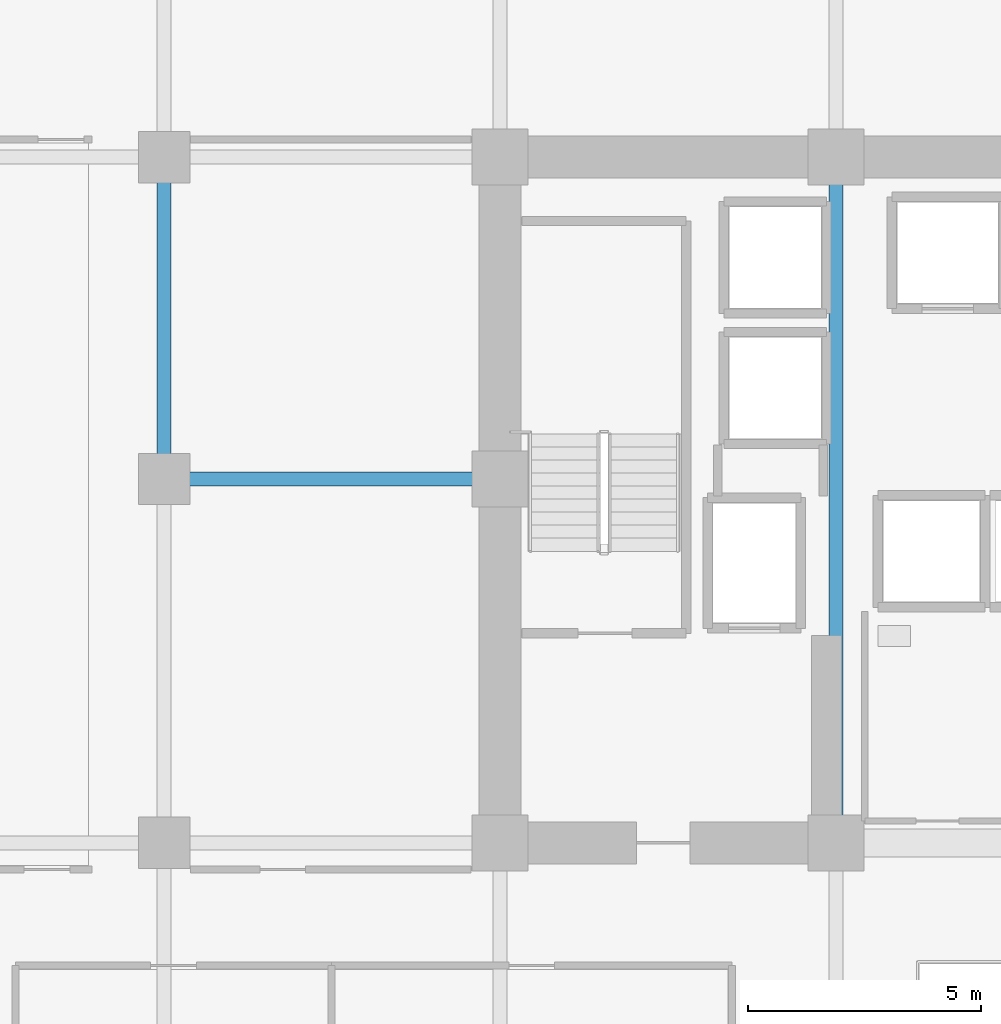
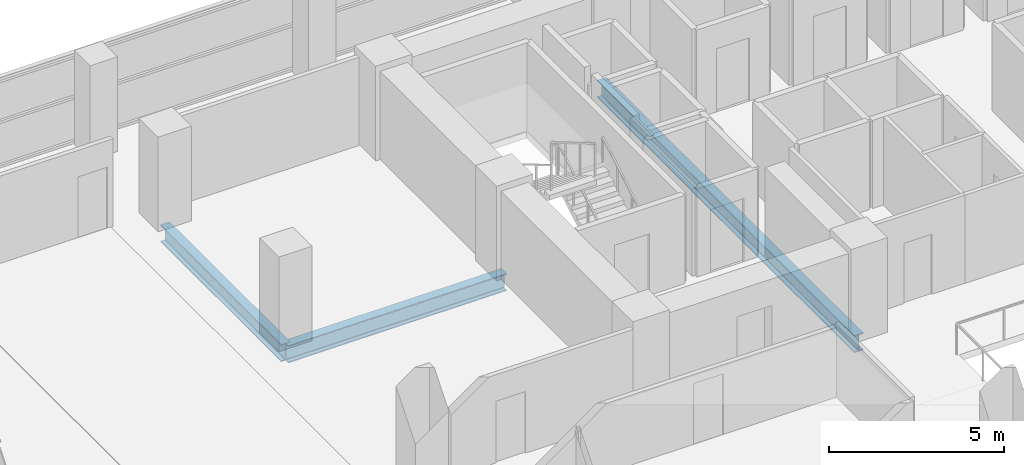
# One storey, part 11 of 30: 3 beams.
"""IFC4 building model written with IfcOpenShell, lengths in metres."""

import ifcopenshell
import ifcopenshell.guid

model = None  # the IFC model being written
_history = None  # IfcOwnerHistory: only IFC2X3 demands one
_inside = {}  # id of a spatial element -> (the spatial element, [elements in it])
_under = {}  # id of a project, library or spatial element -> (it, [spatial elements below it])
_declared = {}  # id of a project -> (the project, [libraries it declares])
_typed = {}  # id of a type object -> (the type object, [elements of that type])
_made_of = {}  # id of a material, layer set ... -> (it, [elements and type objects made of it])


def new_model(schema):
    """Start an empty IFC model of exactly this schema.

    Asked for "IFC4X3", IfcOpenShell would pick the latest addendum, in which some entities
    have other attributes; the version numbers below select the first issue.
    IFC2X3 requires an IfcOwnerHistory on every rooted entity: one is made here for all.
    """
    global model, _history
    if schema == "IFC4X3":
        model = ifcopenshell.file(schema_version=(4, 3, 0, 0))
    else:
        model = ifcopenshell.file(schema=schema)
    _inside.clear()
    _under.clear()
    _declared.clear()
    _typed.clear()
    _made_of.clear()
    _history = None
    if model.schema == "IFC2X3":
        org = make("IfcOrganization", Name="unknown")
        user = make(
            "IfcPersonAndOrganization",
            ThePerson=make("IfcPerson", FamilyName="unknown"),
            TheOrganization=org,
        )
        app = make(
            "IfcApplication",
            ApplicationDeveloper=org,
            Version="unknown",
            ApplicationFullName="unknown",
            ApplicationIdentifier="unknown",
        )
        _history = make(
            "IfcOwnerHistory",
            OwningUser=user,
            OwningApplication=app,
            ChangeAction="ADDED",
            CreationDate=0,
        )
    return model


def make(cls, **values):
    """One entity of the class cls with the attributes given. An attribute that is None is left unset."""
    return model.create_entity(
        cls, **{name: value for name, value in values.items() if value is not None}
    )


def rooted(cls, **values):
    """An entity with a GlobalId (a new one), such as an element, a storey or a relation."""
    return make(cls, GlobalId=ifcopenshell.guid.new(), OwnerHistory=_history, **values)


def si_unit(unit_type, name, prefix=None):
    """IfcSIUnit, for example si_unit("LENGTHUNIT", "METRE", prefix="MILLI")."""
    return make("IfcSIUnit", UnitType=unit_type, Prefix=prefix, Name=name)


def assignment(units):
    """IfcUnitAssignment: the units of a project."""
    return None if units is None else make("IfcUnitAssignment", Units=units)


def point(xyz):
    """IfcCartesianPoint."""
    return None if xyz is None else make("IfcCartesianPoint", Coordinates=xyz)


def direction(xyz):
    """IfcDirection."""
    return None if xyz is None else make("IfcDirection", DirectionRatios=xyz)


def frame(location, z_axis=None, x_axis=None):
    """IfcAxis2Placement3D, a coordinate frame: its origin and axes. An axis left out is left unset."""
    return make(
        "IfcAxis2Placement3D",
        Location=point(location),
        Axis=direction(z_axis),
        RefDirection=direction(x_axis),
    )


def frame_2d(location, x_axis=None):
    """IfcAxis2Placement2D, a coordinate frame in the plane: its origin and x axis."""
    return make(
        "IfcAxis2Placement2D", Location=point(location), RefDirection=direction(x_axis)
    )


def origin():
    """The frame at (0, 0, 0) with its axes left unset."""
    return frame((0.0, 0.0, 0.0))


def origin_2d():
    """The frame at (0, 0) in the plane with its x axis left unset."""
    return frame_2d((0.0, 0.0))


def place(relative_to, where):
    """IfcLocalPlacement: puts the frame where relative to a parent placement (None: the world)."""
    return make(
        "IfcLocalPlacement", PlacementRelTo=relative_to, RelativePlacement=where
    )


def context(
    kind, dimensions, precision=None, world=None, true_north=None, identifier=None
):
    """IfcGeometricRepresentationContext, for example the 3D "Model" context."""
    return make(
        "IfcGeometricRepresentationContext",
        ContextIdentifier=identifier,
        ContextType=kind,
        CoordinateSpaceDimension=dimensions,
        Precision=precision,
        WorldCoordinateSystem=world,
        TrueNorth=true_north,
    )


def subcontext(parent, identifier, kind, view, scale=None):
    """IfcGeometricRepresentationSubContext, for example "Body" below "Model"."""
    return make(
        "IfcGeometricRepresentationSubContext",
        ContextIdentifier=identifier,
        ContextType=kind,
        ParentContext=parent,
        TargetScale=scale,
        TargetView=view,
    )


def project(units=None, contexts=None):
    """IfcProject with its units and contexts."""
    return rooted(
        "IfcProject",
        Name="project",
        RepresentationContexts=contexts,
        UnitsInContext=assignment(units),
    )


def spatial(cls, under=None, at=None, **own):
    """A site, building, storey or space (cls), placed at a placement, below another one or the project."""
    s = rooted(cls, ObjectPlacement=at, **own)
    if under is not None:
        _under.setdefault(under.id(), (under, []))[1].append(s)
    return s


def profile(cls, at=None, kind="AREA", **sizes):
    """A parametric profile (cls). Its sizes go by their IFC names, for example OverallWidth=200.0."""
    return make(cls, ProfileType=kind, Position=at, **sizes)


def i_section(**sizes):
    """IfcIShapeProfileDef."""
    return profile("IfcIShapeProfileDef", **sizes)


def extrude(swept, where, along, depth):
    """IfcExtrudedAreaSolid: the profile swept, set in the frame where, extruded along a direction by depth."""
    return make(
        "IfcExtrudedAreaSolid",
        SweptArea=swept,
        Position=where,
        ExtrudedDirection=direction(along),
        Depth=depth,
    )


def shape(context_of_items, identifier, shape_type, items):
    """IfcShapeRepresentation: the items that make up one representation, for example the "Body"."""
    return make(
        "IfcShapeRepresentation",
        ContextOfItems=context_of_items,
        RepresentationIdentifier=identifier,
        RepresentationType=shape_type,
        Items=items,
    )


def material(Name=None, Category=None):
    """IfcMaterial."""
    return make("IfcMaterial", Name=Name, Category=Category)


def material_profile(
    of_material, cross_section, Name=None, Category=None, Priority=None
):
    """IfcMaterialProfile: a cross section and its material."""
    return make(
        "IfcMaterialProfile",
        Name=Name,
        Material=of_material,
        Profile=cross_section,
        Priority=Priority,
        Category=Category,
    )


def profile_set(profiles, Name=None, composite=None):
    """IfcMaterialProfileSet."""
    return make(
        "IfcMaterialProfileSet",
        Name=Name,
        MaterialProfiles=profiles,
        CompositeProfile=composite,
    )


def made_of(thing, what):
    """Note that an element or type object is made of a material, layer set ...; save() writes the relation."""
    if what is not None:
        _made_of.setdefault(what.id(), (what, []))[1].append(thing)
    return thing


def type_object(cls, material=None, **own):
    """A type object (cls), such as IfcWallType, which elements share."""
    return made_of(rooted(cls, **own), material)


def element(
    cls,
    number,
    at=None,
    inside=None,
    cuts=None,
    type_object=None,
    material=None,
    context=None,
    identifier="Body",
    shape_type=None,
    held_by="IfcProductDefinitionShape",
    body=None,
    shapes=None,
    **own,
):
    """One element of the class cls, such as IfcWall. Its Tag is "e" and its number.

    at: its placement. inside: the storey or other place that contains it. cuts: it is an
    opening in that element (IfcRelVoidsElement). A single representation is given by context,
    identifier, shape_type and body (its items); several are given by shapes. held_by: the class
    of the entity that holds the representations. save() writes the other relations.
    """
    e = rooted(cls, Tag="e%d" % number, ObjectPlacement=at, **own)
    if body is not None:
        shapes = [shape(context, identifier, shape_type, body)]
    if shapes is not None:
        e.Representation = make(held_by, Representations=shapes)
    if inside is not None:
        _inside.setdefault(inside.id(), (inside, []))[1].append(e)
    if cuts is not None:
        rooted(
            "IfcRelVoidsElement", RelatingBuildingElement=cuts, RelatedOpeningElement=e
        )
    if type_object is not None:
        _typed.setdefault(type_object.id(), (type_object, []))[1].append(e)
    return made_of(e, material)


def aggregate(whole, parts):
    """IfcRelAggregates: a whole, such as a stair, and the parts it consists of."""
    return rooted("IfcRelAggregates", RelatingObject=whole, RelatedObjects=parts)


def save(model, path):
    """Write the relations noted so far, then the file.

    IfcRelAggregates (storeys below a building ...), IfcRelContainedInSpatialStructure (elements
    in a storey), IfcRelDefinesByType, IfcRelAssociatesMaterial and IfcRelDeclares: one each for
    every whole, place, type object, material and project.
    """
    for whole, parts in _under.values():
        aggregate(whole, parts)
    for where, things in _inside.values():
        rooted(
            "IfcRelContainedInSpatialStructure",
            RelatedElements=things,
            RelatingStructure=where,
        )
    for kind, things in _typed.values():
        rooted("IfcRelDefinesByType", RelatedObjects=things, RelatingType=kind)
    for what, things in _made_of.values():
        rooted("IfcRelAssociatesMaterial", RelatedObjects=things, RelatingMaterial=what)
    for by, libraries in _declared.values():
        rooted("IfcRelDeclares", RelatingContext=by, RelatedDefinitions=libraries)
    model.write(path)


model = new_model("IFC4")

# Units and contexts
model_context = context("Model", 3, precision=1e-05, world=origin(), true_north=direction((0.0, 1.0)))
body_context = subcontext(model_context, "Body", "Model", "MODEL_VIEW")
ifc_project = project(units=[si_unit("LENGTHUNIT", "METRE"), si_unit("AREAUNIT", "SQUARE_METRE"), si_unit("VOLUMEUNIT", "CUBIC_METRE"), si_unit("PLANEANGLEUNIT", "RADIAN"), si_unit("MASSUNIT", "GRAM", prefix="KILO")], contexts=[model_context])

# Site, building, storey
site_placement = place(None, origin())
site = spatial("IfcSite", under=ifc_project, at=site_placement, CompositionType="ELEMENT")
building_placement = place(site_placement, origin())
building = spatial("IfcBuilding", under=site, at=building_placement, Name="Zarnakvel Exchange Tower", CompositionType="ELEMENT")
storey_placement = place(building_placement, frame((0.0, 0.0, 50.5)))
storey = spatial("IfcBuildingStorey", under=building, at=storey_placement, Name="L13", CompositionType="ELEMENT", Elevation=50.5)

# Beams
ifc_material = material(Name="Steel S355", Category="steel")
ifc_material_profile = material_profile(ifc_material, i_section(OverallWidth=0.300048828125, OverallDepth=0.60009765625, WebThickness=0.015380859375, FlangeThickness=0.030029296875, FilletRadius=0.027099609375, at=origin_2d()))
ifc_profile_set = profile_set([ifc_material_profile], Name="Steel S355")
beam_type = type_object("IfcBeamType", Name="G-04", PredefinedType="BEAM", material=ifc_profile_set)
beam_1_placement = place(storey_placement, frame((-21.60009765625, 6.60009765625, -0.52490234375), z_axis=(1.0, 0.0, 0.0), x_axis=(0.0, 1.0, 0.0)))
element("IfcBeam", 1, at=beam_1_placement, inside=storey, type_object=beam_type, Name="L13 Tower E-W Frame Beam", PredefinedType="BEAM", context=body_context, shape_type="SweptSolid", body=[
    extrude(i_section(OverallWidth=0.300048828125, OverallDepth=0.60009765625, WebThickness=0.015380859375, FlangeThickness=0.030029296875, FilletRadius=0.027099609375, at=origin_2d()), origin(), (0.0, 0.0, 1.0), 7.2001953125),
])
beam_2_placement = place(storey_placement, frame((-21.60009765625, 6.60009765625, -0.52490234375), z_axis=(0.0, 1.0, 0.0), x_axis=(-1.0, 0.0, 0.0)))
element("IfcBeam", 2, at=beam_2_placement, inside=storey, type_object=beam_type, Name="L13 Tower N-S Frame Beam", PredefinedType="BEAM", context=body_context, shape_type="SweptSolid", body=[
    extrude(i_section(OverallWidth=0.300048828125, OverallDepth=0.60009765625, WebThickness=0.015380859375, FlangeThickness=0.030029296875, FilletRadius=0.027099609375, at=origin_2d()), origin(), (0.0, 0.0, 1.0), 6.89990234375),
])
beam_3_placement = place(storey_placement, frame((-7.199951171875, -1.199951171875, -0.52490234375), z_axis=(0.0, 1.0, 0.0), x_axis=(-1.0, 0.0, 0.0)))
element("IfcBeam", 3, at=beam_3_placement, inside=storey, type_object=beam_type, Name="L13 Tower N-S Frame Beam", PredefinedType="BEAM", context=body_context, shape_type="SweptSolid", body=[
    extrude(i_section(OverallWidth=0.300048828125, OverallDepth=0.60009765625, WebThickness=0.015380859375, FlangeThickness=0.030029296875, FilletRadius=0.027099609375, at=origin_2d()), origin(), (0.0, 0.0, 1.0), 14.699951171875),
])

save(model, "model.ifc")
